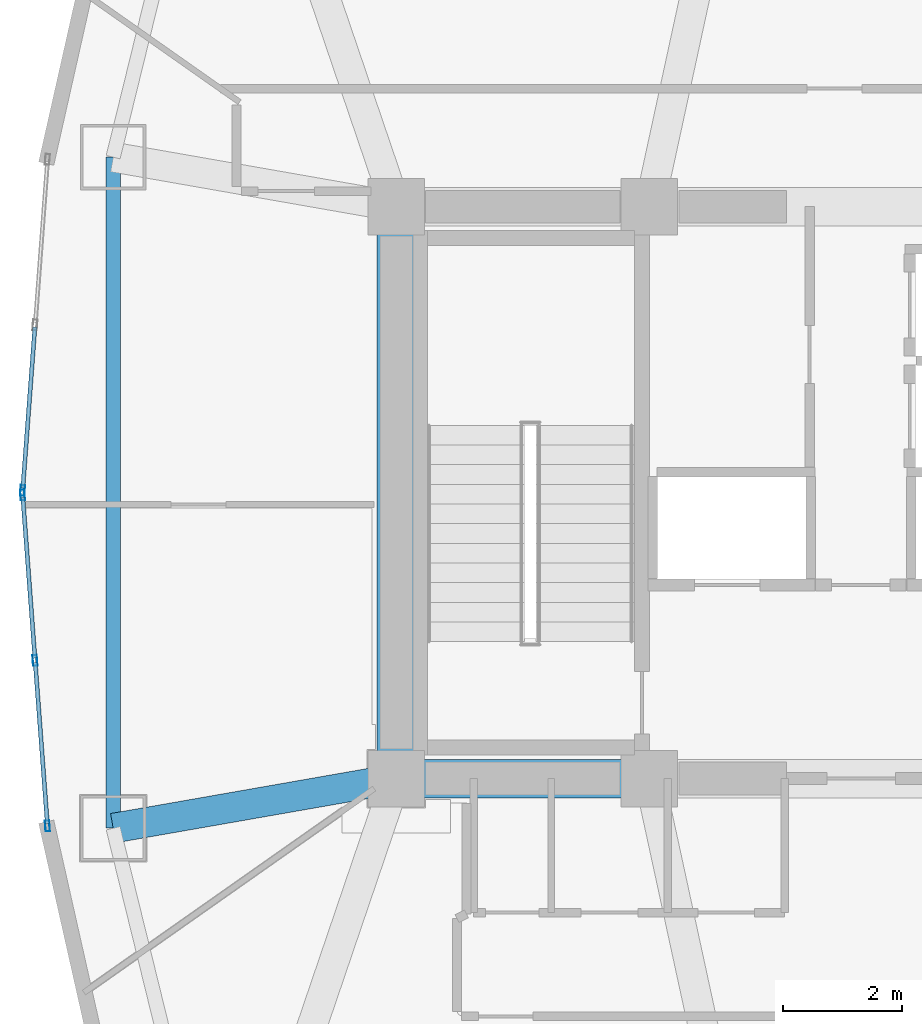
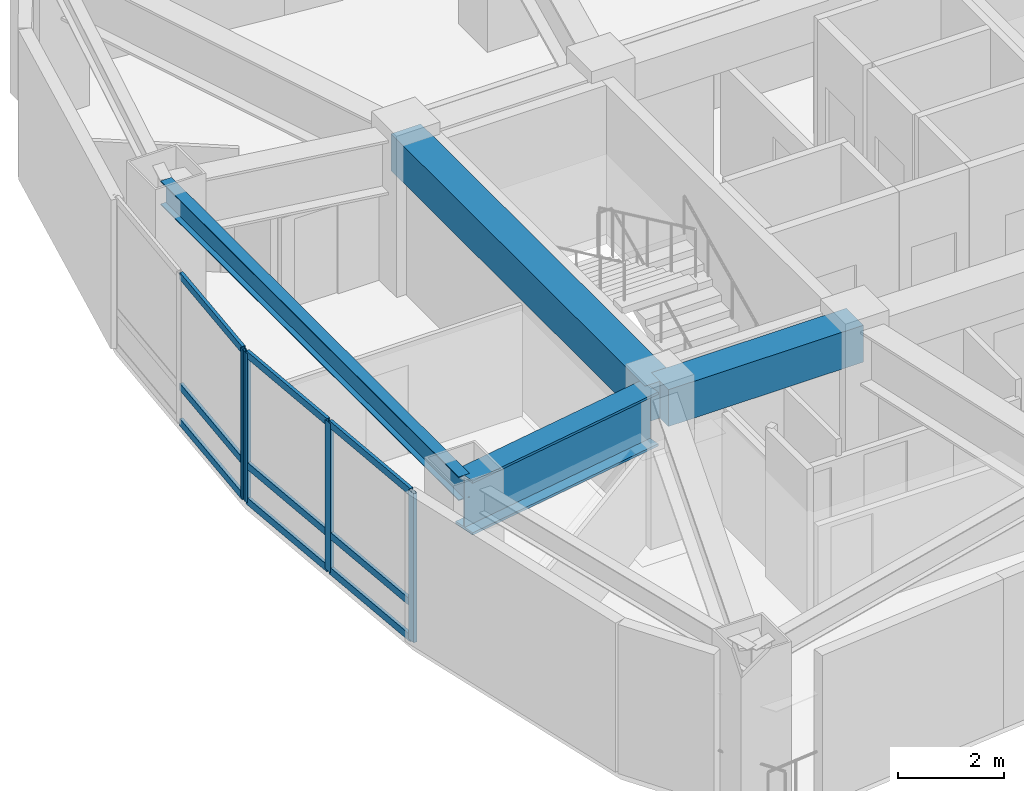
# One storey, part 3 of 18: 13 members, 4 beams, 2 elements without a shape of their own.
"""IFC4 building model written with IfcOpenShell, lengths in metres."""

from ifc_helpers import new_model, si_unit, direction, frame, origin, origin_2d, place, context, subcontext, project, spatial, rectangle, hollow_rectangle, i_section, extrude, material, layer, layer_set, material_profile, profile_set, type_object, element, aggregate, save


model = new_model("IFC4")

# Units and contexts
model_context = context("Model", 3, precision=1e-05, world=origin(), true_north=direction((0.0, 1.0)))
body_context = subcontext(model_context, "Body", "Model", "MODEL_VIEW")
ifc_project = project(units=[si_unit("LENGTHUNIT", "METRE"), si_unit("AREAUNIT", "SQUARE_METRE"), si_unit("VOLUMEUNIT", "CUBIC_METRE"), si_unit("PLANEANGLEUNIT", "RADIAN"), si_unit("MASSUNIT", "GRAM", prefix="KILO")], contexts=[model_context])

# Site, building, storey
site_placement = place(None, origin())
site = spatial("IfcSite", under=ifc_project, at=site_placement, CompositionType="ELEMENT")
building_placement = place(site_placement, origin())
building = spatial("IfcBuilding", under=site, at=building_placement, Name="Menara Vayukalpa", CompositionType="ELEMENT")
storey_placement = place(building_placement, frame((0.0, 0.0, 169.199951171875)))
storey = spatial("IfcBuildingStorey", under=building, at=storey_placement, Name="L42", CompositionType="ELEMENT", Elevation=169.199951171875)

# Beams
ifc_material_1 = material(Name="Concrete C60/75", Category="concrete")
ifc_material_profile_1 = material_profile(ifc_material_1, rectangle(XDim=0.64990234375, YDim=0.85009765625, at=origin_2d()), Name="RC 650x850")
ifc_profile_set_1 = profile_set([ifc_material_profile_1], Name="Concrete C60/75")
beam_type_1 = type_object("IfcBeamType", Name="BM-CB1", PredefinedType="BEAM", material=ifc_profile_set_1)
beam_1_placement = place(storey_placement, frame((17.800048828125, 17.199951171875, 3.01513671875), z_axis=(1.0, 0.0, 0.0), x_axis=(0.0, 1.0, 0.0)))
element("IfcBeam", 1, at=beam_1_placement, inside=storey, type_object=beam_type_1, Name="L42 Core Tie Beam CBR1", PredefinedType="BEAM", context=body_context, shape_type="SweptSolid", body=[
    extrude(rectangle(XDim=0.64990234375, YDim=0.85009765625, at=origin_2d()), origin(), (0.0, 0.0, 1.0), 4.25),
])
beam_2_placement = place(storey_placement, frame((17.800048828125, 17.199951171875, 3.01513671875), z_axis=(0.0, 1.0, 0.0), x_axis=(-1.0, 0.0, 0.0)))
element("IfcBeam", 2, at=beam_2_placement, inside=storey, type_object=beam_type_1, Name="L42 Core Tie Beam CBR7", PredefinedType="BEAM", context=body_context, shape_type="SweptSolid", body=[
    extrude(rectangle(XDim=0.64990234375, YDim=0.85009765625, at=origin_2d()), origin(), (0.0, 0.0, 1.0), 9.60009765625),
])
ifc_material_2 = material(Name="Steel S355", Category="steel")
ifc_material_profile_2 = material_profile(ifc_material_2, i_section(OverallWidth=0.239990234375, OverallDepth=0.550048828125, WebThickness=0.010986328125, FlangeThickness=0.01904296875, at=origin_2d()), Name="WF 550x240x11x19")
ifc_profile_set_2 = profile_set([ifc_material_profile_2], Name="Steel S355")
beam_type_2 = type_object("IfcBeamType", Name="BM-SP2", PredefinedType="SPANDREL", material=ifc_profile_set_2)
beam_3_placement = place(storey_placement, frame((13.049072265625, 27.6318359375, 3.1650390625), z_axis=(0.0, -1.0, 0.0), x_axis=(1.0, 0.0, 0.0)))
element("IfcBeam", 3, at=beam_3_placement, inside=storey, type_object=beam_type_2, Name="L42 Perimeter Spandrel Beam SP05", PredefinedType="SPANDREL", context=body_context, shape_type="SweptSolid", body=[
    extrude(i_section(OverallWidth=0.239990234375, OverallDepth=0.550048828125, WebThickness=0.010986328125, FlangeThickness=0.01904296875, at=origin_2d()), origin(), (0.0, 0.0, 1.0), 11.263671875),
])
ifc_material_3 = material(Name="Steel S460", Category="steel")
ifc_material_profile_3 = material_profile(ifc_material_3, i_section(OverallWidth=0.5, OverallDepth=1.25, WebThickness=0.028076171875, FlangeThickness=0.054931640625, at=origin_2d()), Name="WG 1250x500x28x55")
ifc_profile_set_3 = profile_set([ifc_material_profile_3], Name="Steel S460")
beam_type_3 = type_object("IfcBeamType", Name="BM-TG2", PredefinedType="BEAM", material=ifc_profile_set_3)
beam_4_placement = place(storey_placement, frame((17.5537109375, 17.156982421875, 2.81494140625), z_axis=(-0.985011651805, -0.172487813505, 0.0), x_axis=(0.172487813505, -0.985011651805, 0.0)))
element("IfcBeam", 4, at=beam_4_placement, inside=storey, type_object=beam_type_3, Name="L42 Primary Radial Girder RG06", PredefinedType="BEAM", context=body_context, shape_type="SweptSolid", body=[
    extrude(i_section(OverallWidth=0.5, OverallDepth=1.25, WebThickness=0.028076171875, FlangeThickness=0.054931640625, at=origin_2d()), origin(), (0.0, 0.0, 1.0), 4.5732421875),
])

# Curtain wall, member
ifc_material_4 = material(Name="Anodised Terracotta Aluminium Alloy 6063-T6", Category="masonry")
ifc_layer = layer(ifc_material_4, 0.179931640625)
ifc_layer_set = layer_set([ifc_layer], Name="Anodised Terracotta Aluminium Alloy 6063-T6")
curtain_wall_type = type_object("IfcCurtainWallType", Name="CW-CW4", PredefinedType="USERDEFINED", material=ifc_layer_set)
curtain_wall_1_placement = place(storey_placement, origin())
curtain_wall_1 = element("IfcCurtainWall", 5, at=curtain_wall_1_placement, inside=storey, type_object=curtain_wall_type, Name="L42 Sky Bar Cantilever Glazed Curtain Wall CW4 10", ObjectType="UNITISED", PredefinedType="USERDEFINED")
ifc_material_5 = material(Name="Anodised Terracotta Aluminium Alloy 6063-T6", Category="masonry")
ifc_material_profile_4 = material_profile(ifc_material_5, hollow_rectangle(XDim=0.074951171875, YDim=0.179931640625, WallThickness=0.00390625, at=origin_2d()), Name="ALU 75x180x4")
ifc_profile_set_4 = profile_set([ifc_material_profile_4], Name="Anodised Terracotta Aluminium Alloy 6063-T6")
member_type_1 = type_object("IfcMemberType", Name="CWM-CW4", PredefinedType="MULLION", material=ifc_profile_set_4)
member_1_placement = place(storey_placement, frame((11.529541015625, 22.037353515625, 0.0), z_axis=(0.0, 0.0, 1.0), x_axis=(0.997199111801, -0.074792589364, 0.0)))
member_1 = element("IfcMember", 6, at=member_1_placement, type_object=member_type_1, Name="CW4 mullion 3", PredefinedType="MULLION", context=body_context, shape_type="SweptSolid", body=[
    extrude(hollow_rectangle(XDim=0.074951171875, YDim=0.179931640625, WallThickness=0.00390625, at=origin_2d()), origin(), (0.0, 0.0, 1.0), 3.43994140625),
])

# Curtain wall, members
curtain_wall_2_placement = place(storey_placement, origin())
curtain_wall_2 = element("IfcCurtainWall", 7, at=curtain_wall_2_placement, inside=storey, type_object=curtain_wall_type, Name="L42 Sky Bar Cantilever Glazed Curtain Wall CW4 11", ObjectType="UNITISED", PredefinedType="USERDEFINED")
member_2_placement = place(storey_placement, frame((11.529541015625, 21.962646484375, 0.0), z_axis=(0.0, 0.0, 1.0), x_axis=(0.997199111801, 0.074792589364, 0.0)))
member_2 = element("IfcMember", 8, at=member_2_placement, type_object=member_type_1, Name="CW4 mullion 1", PredefinedType="MULLION", context=body_context, shape_type="SweptSolid", body=[
    extrude(hollow_rectangle(XDim=0.074951171875, YDim=0.179931640625, WallThickness=0.00390625, at=origin_2d()), origin(), (0.0, 0.0, 1.0), 3.43994140625),
])
member_3_placement = place(storey_placement, frame((11.73779296875, 19.18408203125, 0.0), z_axis=(0.0, 0.0, 1.0), x_axis=(0.997199111801, 0.074792589364, 0.0)))
member_3 = element("IfcMember", 9, at=member_3_placement, type_object=member_type_1, Name="CW4 mullion 2", PredefinedType="MULLION", context=body_context, shape_type="SweptSolid", body=[
    extrude(hollow_rectangle(XDim=0.074951171875, YDim=0.179931640625, WallThickness=0.00390625, at=origin_2d()), origin(), (0.0, 0.0, 1.0), 3.43994140625),
])
member_4_placement = place(storey_placement, frame((11.9462890625, 16.405517578125, 0.0), z_axis=(0.0, 0.0, 1.0), x_axis=(0.997199111801, 0.074792589364, 0.0)))
member_4 = element("IfcMember", 10, at=member_4_placement, type_object=member_type_1, Name="CW4 mullion 3", PredefinedType="MULLION", context=body_context, shape_type="SweptSolid", body=[
    extrude(hollow_rectangle(XDim=0.074951171875, YDim=0.179931640625, WallThickness=0.00390625, at=origin_2d()), origin(), (0.0, 0.0, 1.0), 3.43994140625),
])

# Member
ifc_material_6 = material(Name="Anodised Terracotta Aluminium Alloy 6063-T6", Category="masonry")
ifc_material_profile_5 = material_profile(ifc_material_6, hollow_rectangle(XDim=0.070068359375, YDim=0.1650390625, WallThickness=0.00390625, at=origin_2d()), Name="ALU 70x165x4")
ifc_profile_set_5 = profile_set([ifc_material_profile_5], Name="Anodised Terracotta Aluminium Alloy 6063-T6")
member_type_2 = type_object("IfcMemberType", Name="CWT-CW4", PredefinedType="USERDEFINED", material=ifc_profile_set_5)
member_5_placement = place(storey_placement, frame((11.735107421875, 24.778564453125, 0.03515625), z_axis=(-0.074823524461, -0.997196791104, 0.0), x_axis=(0.997196791104, -0.074823524461, 0.0)))
member_5 = element("IfcMember", 11, at=member_5_placement, type_object=member_type_2, Name="CW4 transom 2.1", ObjectType="TRANSOM", PredefinedType="USERDEFINED", context=body_context, shape_type="SweptSolid", body=[
    extrude(hollow_rectangle(XDim=0.070068359375, YDim=0.1650390625, WallThickness=0.00390625, at=origin_2d()), origin(), (0.0, 0.0, 1.0), 2.71142578125),
])

member_6_placement = place(storey_placement, frame((11.735107421875, 24.778564453125, 0.85009765625), z_axis=(-0.074823524461, -0.997196791104, 0.0), x_axis=(0.997196791104, -0.074823524461, 0.0)))
member_6 = element("IfcMember", 12, at=member_6_placement, type_object=member_type_2, Name="CW4 transom 2.2", ObjectType="TRANSOM", PredefinedType="USERDEFINED", context=body_context, shape_type="SweptSolid", body=[
    extrude(hollow_rectangle(XDim=0.070068359375, YDim=0.1650390625, WallThickness=0.00390625, at=origin_2d()), origin(), (0.0, 0.0, 1.0), 2.71142578125),
])

member_7_placement = place(storey_placement, frame((11.735107421875, 24.778564453125, 3.405029296875), z_axis=(-0.074823524461, -0.997196791104, 0.0), x_axis=(0.997196791104, -0.074823524461, 0.0)))
member_7 = element("IfcMember", 13, at=member_7_placement, type_object=member_type_2, Name="CW4 transom 2.3", ObjectType="TRANSOM", PredefinedType="USERDEFINED", context=body_context, shape_type="SweptSolid", body=[
    extrude(hollow_rectangle(XDim=0.070068359375, YDim=0.1650390625, WallThickness=0.00390625, at=origin_2d()), origin(), (0.0, 0.0, 1.0), 2.71142578125),
])

aggregate(curtain_wall_1, [member_1, member_5, member_6, member_7])

member_8_placement = place(storey_placement, frame((11.5322265625, 21.92529296875, 0.03515625), z_axis=(0.074823524461, -0.997196791104, 0.0), x_axis=(0.997196791104, 0.074823524461, 0.0)))
member_8 = element("IfcMember", 14, at=member_8_placement, type_object=member_type_2, Name="CW4 transom 1.1", ObjectType="TRANSOM", PredefinedType="USERDEFINED", context=body_context, shape_type="SweptSolid", body=[
    extrude(hollow_rectangle(XDim=0.070068359375, YDim=0.1650390625, WallThickness=0.00390625, at=origin_2d()), origin(), (0.0, 0.0, 1.0), 2.71142578125),
])

member_9_placement = place(storey_placement, frame((11.5322265625, 21.92529296875, 0.85009765625), z_axis=(0.074823524461, -0.997196791104, 0.0), x_axis=(0.997196791104, 0.074823524461, 0.0)))
member_9 = element("IfcMember", 15, at=member_9_placement, type_object=member_type_2, Name="CW4 transom 1.2", ObjectType="TRANSOM", PredefinedType="USERDEFINED", context=body_context, shape_type="SweptSolid", body=[
    extrude(hollow_rectangle(XDim=0.070068359375, YDim=0.1650390625, WallThickness=0.00390625, at=origin_2d()), origin(), (0.0, 0.0, 1.0), 2.71142578125),
])

member_10_placement = place(storey_placement, frame((11.5322265625, 21.92529296875, 3.405029296875), z_axis=(0.074823524461, -0.997196791104, 0.0), x_axis=(0.997196791104, 0.074823524461, 0.0)))
member_10 = element("IfcMember", 16, at=member_10_placement, type_object=member_type_2, Name="CW4 transom 1.3", ObjectType="TRANSOM", PredefinedType="USERDEFINED", context=body_context, shape_type="SweptSolid", body=[
    extrude(hollow_rectangle(XDim=0.070068359375, YDim=0.1650390625, WallThickness=0.00390625, at=origin_2d()), origin(), (0.0, 0.0, 1.0), 2.71142578125),
])

member_11_placement = place(storey_placement, frame((11.74072265625, 19.146728515625, 0.03515625), z_axis=(0.074823524461, -0.997196791104, 0.0), x_axis=(0.997196791104, 0.074823524461, 0.0)))
member_11 = element("IfcMember", 17, at=member_11_placement, type_object=member_type_2, Name="CW4 transom 2.1", ObjectType="TRANSOM", PredefinedType="USERDEFINED", context=body_context, shape_type="SweptSolid", body=[
    extrude(hollow_rectangle(XDim=0.070068359375, YDim=0.1650390625, WallThickness=0.00390625, at=origin_2d()), origin(), (0.0, 0.0, 1.0), 2.71142578125),
])

member_12_placement = place(storey_placement, frame((11.74072265625, 19.146728515625, 0.85009765625), z_axis=(0.074823524461, -0.997196791104, 0.0), x_axis=(0.997196791104, 0.074823524461, 0.0)))
member_12 = element("IfcMember", 18, at=member_12_placement, type_object=member_type_2, Name="CW4 transom 2.2", ObjectType="TRANSOM", PredefinedType="USERDEFINED", context=body_context, shape_type="SweptSolid", body=[
    extrude(hollow_rectangle(XDim=0.070068359375, YDim=0.1650390625, WallThickness=0.00390625, at=origin_2d()), origin(), (0.0, 0.0, 1.0), 2.71142578125),
])

member_13_placement = place(storey_placement, frame((11.74072265625, 19.146728515625, 3.405029296875), z_axis=(0.074823524461, -0.997196791104, 0.0), x_axis=(0.997196791104, 0.074823524461, 0.0)))
member_13 = element("IfcMember", 19, at=member_13_placement, type_object=member_type_2, Name="CW4 transom 2.3", ObjectType="TRANSOM", PredefinedType="USERDEFINED", context=body_context, shape_type="SweptSolid", body=[
    extrude(hollow_rectangle(XDim=0.070068359375, YDim=0.1650390625, WallThickness=0.00390625, at=origin_2d()), origin(), (0.0, 0.0, 1.0), 2.71142578125),
])

aggregate(curtain_wall_2, [member_2, member_3, member_4, member_8, member_9, member_10, member_11, member_12, member_13])

save(model, "model.ifc")
